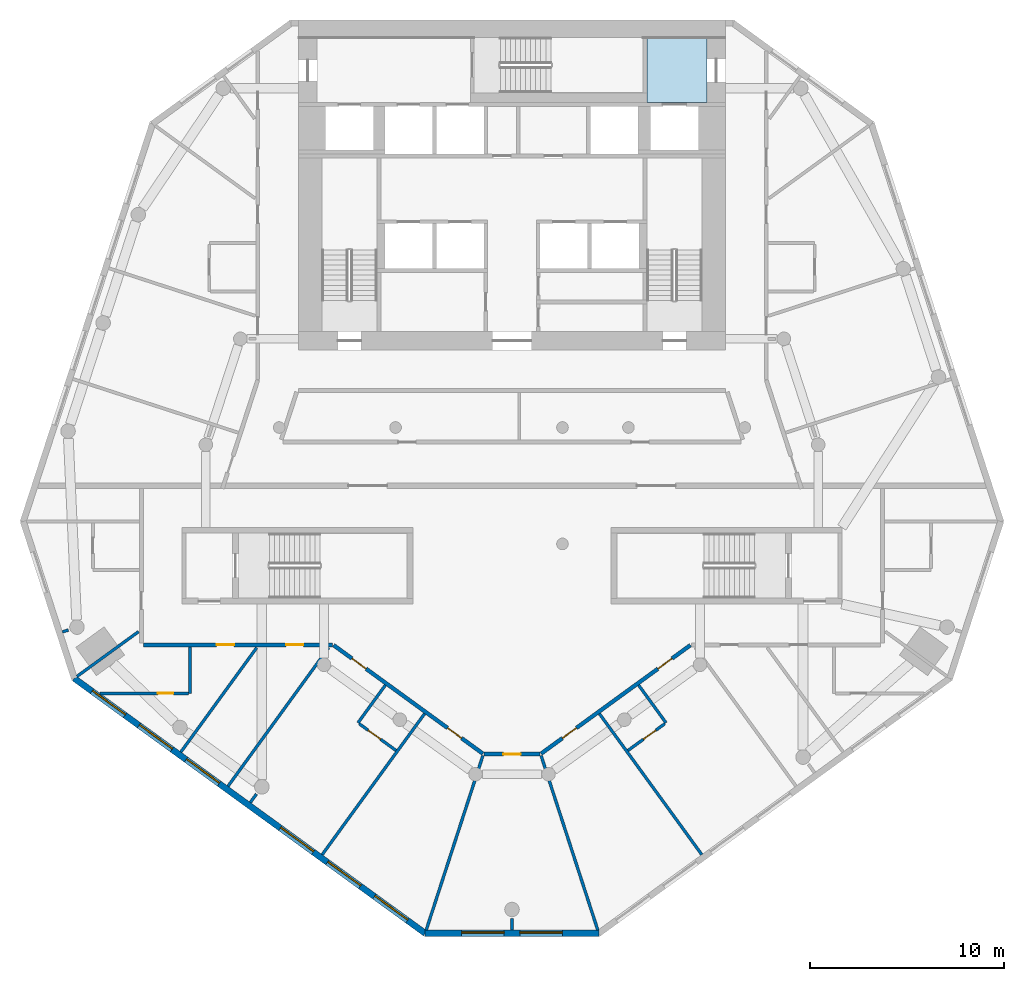
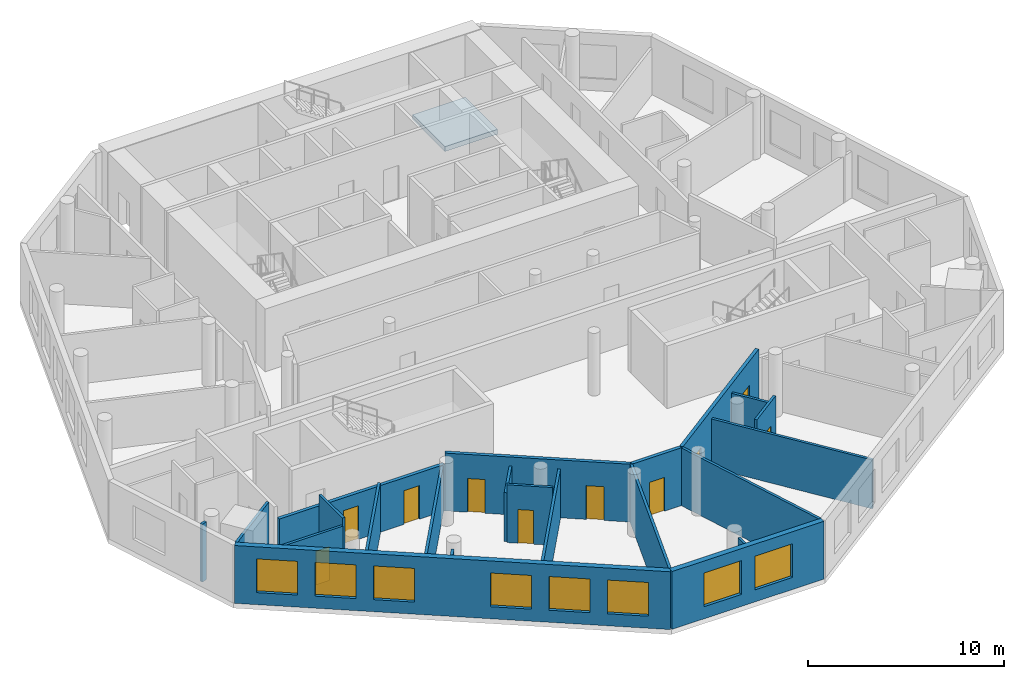
# One storey, part 2 of 9: 22 walls, 10 doors, 8 windows, 1 slab, 18 openings.
"""IFC4 building model written with IfcOpenShell, lengths in metres."""

from ifc_helpers import new_model, si_unit, direction, frame, frame_2d, origin, place, context, subcontext, project, spatial, polyline, rectangle, outline, extrude, material, layer, layer_set, type_object, element, fill, save


model = new_model("IFC4")

# Units and contexts
model_context = context("Model", 3, precision=1e-05, world=origin(), true_north=direction((0.0, 1.0)))
body_context = subcontext(model_context, "Body", "Model", "MODEL_VIEW")
ifc_project = project(units=[si_unit("LENGTHUNIT", "METRE"), si_unit("AREAUNIT", "SQUARE_METRE"), si_unit("VOLUMEUNIT", "CUBIC_METRE"), si_unit("PLANEANGLEUNIT", "RADIAN"), si_unit("MASSUNIT", "GRAM", prefix="KILO")], contexts=[model_context])

# Site, building, storey
site_placement = place(None, origin())
site = spatial("IfcSite", under=ifc_project, at=site_placement, CompositionType="ELEMENT")
building_placement = place(site_placement, origin())
building = spatial("IfcBuilding", under=site, at=building_placement, Name="White Candle Pilgrim Tower", CompositionType="ELEMENT")
storey_placement = place(building_placement, frame((0.0, 0.0, 164.199951171875)))
storey = spatial("IfcBuildingStorey", under=building, at=storey_placement, Name="L37", CompositionType="ELEMENT", Elevation=164.199951171875)

# Slab
ifc_material_1 = material(Name="Concrete C40/50", Category="concrete")
ifc_layer_1 = layer(ifc_material_1, 0.300048828125)
ifc_layer_set_1 = layer_set([ifc_layer_1], Name="Core floor slab 300 mm Concrete C40/50")
slab_type = type_object("IfcSlabType", Name="Core floor slab 300 mm Concrete C40/50", PredefinedType="FLOOR", material=ifc_layer_set_1)
slab_placement = place(storey_placement, frame((0.0, 0.0, -0.300048828125)))
element("IfcSlab", 1, at=slab_placement, inside=storey, type_object=slab_type, Name="CF-L37-06", PredefinedType="FLOOR", context=body_context, shape_type="SweptSolid", body=[
    extrude(outline(polyline([(80.050048828125, 87.050048828125), (80.050048828125, 83.75), (76.949951171875, 83.75), (76.949951171875, 84.25), (76.949951171875, 87.050048828125), (80.050048828125, 87.050048828125)])), origin(), (0.0, 0.0, 1.0), 0.300048828125),
])

# Wall, openings, doors
ifc_material_2 = material(Name="Gypsum board on steel studs", Category="steel")
ifc_layer_2 = layer(ifc_material_2, 0.199951171875)
ifc_layer_set_2 = layer_set([ifc_layer_2], Name="Corridor wall 200 mm EI 45")
wall_type_1 = type_object("IfcWallType", Name="Corridor wall 200 mm EI 45", PredefinedType="PARTITIONING", material=ifc_layer_set_2)
wall_1_placement = place(storey_placement, frame((79.192626953125, 55.781005859375, 0.0), z_axis=(0.0, 0.0, 1.0), x_axis=(-0.809014652106, -0.587788476135, 0.0)))
wall_1 = element("IfcWall", 2, at=wall_1_placement, inside=storey, type_object=wall_type_1, Name="WL-L37-P008", PredefinedType="PARTITIONING", context=body_context, shape_type="SweptSolid", body=[
    extrude(rectangle(XDim=9.509521484375, YDim=0.199951171875, at=frame_2d((4.7548828125, 0.0))), origin(), (0.0, 0.0, 1.0), 3.60009765625),
])
opening_1_placement = place(wall_1_placement, frame((7.2548828125, 0.0, 0.0)))
opening_1 = element("IfcOpeningElement", 3, at=opening_1_placement, cuts=wall_1, Name="Opening T11-111", PredefinedType="OPENING", context=body_context, shape_type="SweptSolid", body=[
    extrude(rectangle(XDim=0.89990234375, YDim=2.10009765625, at=frame_2d((0.449951171875, 1.050048828125))), frame((0.0, 0.10986328125, 0.0), z_axis=(0.0, -1.0, 0.0), x_axis=(1.0, 0.0, 0.0)), (0.0, 0.0, 1.0), 0.219970703125),
])
opening_2_placement = place(wall_1_placement, frame((1.16748046875, 0.0, 0.0)))
opening_2 = element("IfcOpeningElement", 4, at=opening_2_placement, cuts=wall_1, Name="Opening T11-113", PredefinedType="OPENING", context=body_context, shape_type="SweptSolid", body=[
    extrude(rectangle(XDim=0.89990234375, YDim=2.10009765625, at=frame_2d((0.449951171875, 1.050048828125))), frame((0.0, 0.10986328125, 0.0), z_axis=(0.0, -1.0, 0.0), x_axis=(1.0, 0.0, 0.0)), (0.0, 0.0, 1.0), 0.219970703125),
])
ifc_material_3 = material(Name="Steel door leaf", Category="steel")
door_type_1 = type_object("IfcDoorType", Name="Fire door 900 x 2100 EI 30", OperationType="NOTDEFINED", PredefinedType="DOOR", material=ifc_material_3)
door_1_placement = place(opening_1_placement, origin())
door_1 = element("IfcDoor", 5, at=door_1_placement, inside=storey, type_object=door_type_1, Name="Door T11-111", OperationType="SINGLE_SWING_LEFT", OverallHeight=2.10009765625, OverallWidth=0.89990234375, PredefinedType="DOOR", context=body_context, shape_type="SweptSolid", body=[
    extrude(rectangle(XDim=0.89990234375, YDim=2.10009765625, at=frame_2d((0.449951171875, 1.050048828125))), frame((0.0, 0.02490234375, 0.0), z_axis=(0.0, -1.0, 0.0), x_axis=(1.0, 0.0, 0.0)), (0.0, 0.0, 1.0), 0.050048828125),
])
fill(opening_1, door_1)
door_2_placement = place(opening_2_placement, origin())
door_2 = element("IfcDoor", 6, at=door_2_placement, inside=storey, type_object=door_type_1, Name="Door T11-113", OperationType="SINGLE_SWING_LEFT", OverallHeight=2.10009765625, OverallWidth=0.89990234375, PredefinedType="DOOR", context=body_context, shape_type="SweptSolid", body=[
    extrude(rectangle(XDim=0.89990234375, YDim=2.10009765625, at=frame_2d((0.449951171875, 1.050048828125))), frame((0.0, 0.02490234375, 0.0), z_axis=(0.0, -1.0, 0.0), x_axis=(1.0, 0.0, 0.0)), (0.0, 0.0, 1.0), 0.050048828125),
])
fill(opening_2, door_2)

# Wall, opening, door
wall_2_placement = place(storey_placement, frame((71.440673828125, 50.17236328125, 0.0), z_axis=(0.0, 0.0, 1.0), x_axis=(-1.0, 0.0, 0.0)))
wall_2 = element("IfcWall", 7, at=wall_2_placement, inside=storey, type_object=wall_type_1, Name="WL-L37-P009", PredefinedType="PARTITIONING", context=body_context, shape_type="SweptSolid", body=[
    extrude(rectangle(XDim=2.88134765625, YDim=0.199951171875, at=frame_2d((1.440673828125, 0.0))), origin(), (0.0, 0.0, 1.0), 3.60009765625),
])
opening_3_placement = place(wall_2_placement, frame((0.990478515625, 0.0, 0.0)))
opening_3 = element("IfcOpeningElement", 8, at=opening_3_placement, cuts=wall_2, Name="Opening T11-110", PredefinedType="OPENING", context=body_context, shape_type="SweptSolid", body=[
    extrude(rectangle(XDim=0.89990234375, YDim=2.10009765625, at=frame_2d((0.449951171875, 1.050048828125))), frame((0.0, 0.10986328125, 0.0), z_axis=(0.0, -1.0, 0.0), x_axis=(1.0, 0.0, 0.0)), (0.0, 0.0, 1.0), 0.219970703125),
])
door_3_placement = place(opening_3_placement, origin())
door_3 = element("IfcDoor", 9, at=door_3_placement, inside=storey, type_object=door_type_1, Name="Door T11-110", OperationType="SINGLE_SWING_RIGHT", OverallHeight=2.10009765625, OverallWidth=0.89990234375, PredefinedType="DOOR", context=body_context, shape_type="SweptSolid", body=[
    extrude(rectangle(XDim=0.89990234375, YDim=2.10009765625, at=frame_2d((0.449951171875, 1.050048828125))), frame((0.0, 0.02490234375, 0.0), z_axis=(0.0, -1.0, 0.0), x_axis=(1.0, 0.0, 0.0)), (0.0, 0.0, 1.0), 0.050048828125),
])
fill(opening_3, door_3)

# Wall, openings, doors
wall_3_placement = place(storey_placement, frame((68.500732421875, 50.19140625, 0.0), z_axis=(0.0, 0.0, 1.0), x_axis=(-0.809014652106, 0.587788476135, 0.0)))
wall_3 = element("IfcWall", 10, at=wall_3_placement, inside=storey, type_object=wall_type_1, Name="WL-L37-P010", PredefinedType="PARTITIONING", context=body_context, shape_type="SweptSolid", body=[
    extrude(rectangle(XDim=9.509521484375, YDim=0.199951171875, at=frame_2d((4.7548828125, 0.0))), origin(), (0.0, 0.0, 1.0), 3.60009765625),
])
opening_4_placement = place(wall_3_placement, frame((7.44189453125, 0.0, 0.0)))
opening_4 = element("IfcOpeningElement", 11, at=opening_4_placement, cuts=wall_3, Name="Opening T11-108", PredefinedType="OPENING", context=body_context, shape_type="SweptSolid", body=[
    extrude(rectangle(XDim=0.89990234375, YDim=2.10009765625, at=frame_2d((0.449951171875, 1.050048828125))), frame((0.0, 0.10986328125, 0.0), z_axis=(0.0, -1.0, 0.0), x_axis=(1.0, 0.0, 0.0)), (0.0, 0.0, 1.0), 0.219970703125),
])
opening_5_placement = place(wall_3_placement, frame((1.3544921875, 0.0, 0.0)))
opening_5 = element("IfcOpeningElement", 12, at=opening_5_placement, cuts=wall_3, Name="Opening T11-109", PredefinedType="OPENING", context=body_context, shape_type="SweptSolid", body=[
    extrude(rectangle(XDim=0.89990234375, YDim=2.10009765625, at=frame_2d((0.449951171875, 1.050048828125))), frame((0.0, 0.10986328125, 0.0), z_axis=(0.0, -1.0, 0.0), x_axis=(1.0, 0.0, 0.0)), (0.0, 0.0, 1.0), 0.219970703125),
])
door_4_placement = place(opening_4_placement, origin())
door_4 = element("IfcDoor", 13, at=door_4_placement, inside=storey, type_object=door_type_1, Name="Door T11-108", OperationType="SINGLE_SWING_RIGHT", OverallHeight=2.10009765625, OverallWidth=0.89990234375, PredefinedType="DOOR", context=body_context, shape_type="SweptSolid", body=[
    extrude(rectangle(XDim=0.89990234375, YDim=2.10009765625, at=frame_2d((0.449951171875, 1.050048828125))), frame((0.0, 0.02490234375, 0.0), z_axis=(0.0, -1.0, 0.0), x_axis=(1.0, 0.0, 0.0)), (0.0, 0.0, 1.0), 0.050048828125),
])
fill(opening_4, door_4)
door_5_placement = place(opening_5_placement, origin())
door_5 = element("IfcDoor", 14, at=door_5_placement, inside=storey, type_object=door_type_1, Name="Door T11-109", OperationType="SINGLE_SWING_LEFT", OverallHeight=2.10009765625, OverallWidth=0.89990234375, PredefinedType="DOOR", context=body_context, shape_type="SweptSolid", body=[
    extrude(rectangle(XDim=0.89990234375, YDim=2.10009765625, at=frame_2d((0.449951171875, 1.050048828125))), frame((0.0, 0.02490234375, 0.0), z_axis=(0.0, -1.0, 0.0), x_axis=(1.0, 0.0, 0.0)), (0.0, 0.0, 1.0), 0.050048828125),
])
fill(opening_5, door_5)

wall_4_placement = place(storey_placement, frame((60.74853515625, 55.800048828125, 0.0), z_axis=(0.0, 0.0, 1.0), x_axis=(-1.0, 0.0, 0.0)))
wall_4 = element("IfcWall", 15, at=wall_4_placement, inside=storey, type_object=wall_type_1, Name="WL-L37-P011", PredefinedType="PARTITIONING", context=body_context, shape_type="SweptSolid", body=[
    extrude(rectangle(XDim=9.74853515625, YDim=0.199951171875, at=frame_2d((4.874267578125, 0.0))), origin(), (0.0, 0.0, 1.0), 2.900146484375),
])
opening_6_placement = place(wall_4_placement, frame((5.07373046875, 0.0, 0.0)))
opening_6 = element("IfcOpeningElement", 16, at=opening_6_placement, cuts=wall_4, Name="Opening T11-105", PredefinedType="OPENING", context=body_context, shape_type="SweptSolid", body=[
    extrude(rectangle(XDim=0.89990234375, YDim=2.10009765625, at=frame_2d((0.449951171875, 1.050048828125))), frame((0.0, 0.10986328125, 0.0), z_axis=(0.0, -1.0, 0.0), x_axis=(1.0, 0.0, 0.0)), (0.0, 0.0, 1.0), 0.219970703125),
])
opening_7_placement = place(wall_4_placement, frame((1.4951171875, 0.0, 0.0)))
opening_7 = element("IfcOpeningElement", 17, at=opening_7_placement, cuts=wall_4, Name="Opening T11-106", PredefinedType="OPENING", context=body_context, shape_type="SweptSolid", body=[
    extrude(rectangle(XDim=0.89990234375, YDim=2.10009765625, at=frame_2d((0.449951171875, 1.050048828125))), frame((0.0, 0.10986328125, 0.0), z_axis=(0.0, -1.0, 0.0), x_axis=(1.0, 0.0, 0.0)), (0.0, 0.0, 1.0), 0.219970703125),
])
door_6_placement = place(opening_6_placement, origin())
door_6 = element("IfcDoor", 18, at=door_6_placement, inside=storey, type_object=door_type_1, Name="Door T11-105", OperationType="SINGLE_SWING_LEFT", OverallHeight=2.10009765625, OverallWidth=0.89990234375, PredefinedType="DOOR", context=body_context, shape_type="SweptSolid", body=[
    extrude(rectangle(XDim=0.89990234375, YDim=2.10009765625, at=frame_2d((0.449951171875, 1.050048828125))), frame((0.0, 0.02490234375, 0.0), z_axis=(0.0, -1.0, 0.0), x_axis=(1.0, 0.0, 0.0)), (0.0, 0.0, 1.0), 0.050048828125),
])
fill(opening_6, door_6)
door_7_placement = place(opening_7_placement, origin())
door_7 = element("IfcDoor", 19, at=door_7_placement, inside=storey, type_object=door_type_1, Name="Door T11-106", OperationType="SINGLE_SWING_RIGHT", OverallHeight=2.10009765625, OverallWidth=0.89990234375, PredefinedType="DOOR", context=body_context, shape_type="SweptSolid", body=[
    extrude(rectangle(XDim=0.89990234375, YDim=2.10009765625, at=frame_2d((0.449951171875, 1.050048828125))), frame((0.0, 0.02490234375, 0.0), z_axis=(0.0, -1.0, 0.0), x_axis=(1.0, 0.0, 0.0)), (0.0, 0.0, 1.0), 0.050048828125),
])
fill(opening_7, door_7)

# Wall, openings, windows
ifc_material_4 = material(Name="Precast concrete C40/50", Category="concrete")
ifc_layer_3 = layer(ifc_material_4, 0.320068359375)
ifc_layer_set_3 = layer_set([ifc_layer_3], Name="Facade wall EW1 precast concrete C40/50 pier wall with timber-lined reveals")
wall_type_2 = type_object("IfcWallType", Name="Facade wall EW1 precast concrete C40/50 pier wall with timber-lined reveals", PredefinedType="SOLIDWALL", material=ifc_layer_set_3)
wall_5_placement = place(storey_placement, frame((47.440673828125, 54.071044921875, 0.0), z_axis=(0.0, 0.0, 1.0), x_axis=(0.809019373805, -0.587781977274, 0.0)))
wall_5 = element("IfcWall", 20, at=wall_5_placement, inside=storey, type_object=wall_type_2, Name="Facade wall L37 SW", PredefinedType="SOLIDWALL", context=body_context, shape_type="SweptSolid", body=[
    extrude(rectangle(XDim=22.35302734375, YDim=0.320068359375, at=frame_2d((11.176513671875, 0.0))), origin(), (0.0, 0.0, 1.0), 3.60009765625),
])
opening_8_placement = place(wall_5_placement, frame((1.12646484375, 0.0, 0.75)))
opening_8 = element("IfcOpeningElement", 21, at=opening_8_placement, cuts=wall_5, Name="Opening W3", PredefinedType="OPENING", context=body_context, shape_type="SweptSolid", body=[
    extrude(rectangle(XDim=2.10009765625, YDim=2.10009765625, at=frame_2d((1.050048828125, 1.050048828125))), frame((0.0, 0.169921875, 0.0), z_axis=(0.0, -1.0, 0.0), x_axis=(1.0, 0.0, 0.0)), (0.0, 0.0, 1.0), 0.340087890625),
])
opening_9_placement = place(wall_5_placement, frame((4.12646484375, 0.0, 0.75)))
opening_9 = element("IfcOpeningElement", 22, at=opening_9_placement, cuts=wall_5, Name="Opening W3", PredefinedType="OPENING", context=body_context, shape_type="SweptSolid", body=[
    extrude(rectangle(XDim=2.10009765625, YDim=2.10009765625, at=frame_2d((1.050048828125, 1.050048828125))), frame((0.0, 0.169921875, 0.0), z_axis=(0.0, -1.0, 0.0), x_axis=(1.0, 0.0, 0.0)), (0.0, 0.0, 1.0), 0.340087890625),
])
opening_10_placement = place(wall_5_placement, frame((7.12646484375, 0.0, 0.75)))
opening_10 = element("IfcOpeningElement", 23, at=opening_10_placement, cuts=wall_5, Name="Opening W3", PredefinedType="OPENING", context=body_context, shape_type="SweptSolid", body=[
    extrude(rectangle(XDim=2.10009765625, YDim=2.10009765625, at=frame_2d((1.050048828125, 1.050048828125))), frame((0.0, 0.169921875, 0.0), z_axis=(0.0, -1.0, 0.0), x_axis=(1.0, 0.0, 0.0)), (0.0, 0.0, 1.0), 0.340087890625),
])
opening_11_placement = place(wall_5_placement, frame((13.12646484375, 0.0, 0.75)))
opening_11 = element("IfcOpeningElement", 24, at=opening_11_placement, cuts=wall_5, Name="Opening W3", PredefinedType="OPENING", context=body_context, shape_type="SweptSolid", body=[
    extrude(rectangle(XDim=2.10009765625, YDim=2.10009765625, at=frame_2d((1.050048828125, 1.050048828125))), frame((0.0, 0.169921875, 0.0), z_axis=(0.0, -1.0, 0.0), x_axis=(1.0, 0.0, 0.0)), (0.0, 0.0, 1.0), 0.340087890625),
])
opening_12_placement = place(wall_5_placement, frame((16.12646484375, 0.0, 0.75)))
opening_12 = element("IfcOpeningElement", 25, at=opening_12_placement, cuts=wall_5, Name="Opening W3", PredefinedType="OPENING", context=body_context, shape_type="SweptSolid", body=[
    extrude(rectangle(XDim=2.10009765625, YDim=2.10009765625, at=frame_2d((1.050048828125, 1.050048828125))), frame((0.0, 0.169921875, 0.0), z_axis=(0.0, -1.0, 0.0), x_axis=(1.0, 0.0, 0.0)), (0.0, 0.0, 1.0), 0.340087890625),
])
opening_13_placement = place(wall_5_placement, frame((19.12646484375, 0.0, 0.75)))
opening_13 = element("IfcOpeningElement", 26, at=opening_13_placement, cuts=wall_5, Name="Opening W3", PredefinedType="OPENING", context=body_context, shape_type="SweptSolid", body=[
    extrude(rectangle(XDim=2.10009765625, YDim=2.10009765625, at=frame_2d((1.050048828125, 1.050048828125))), frame((0.0, 0.169921875, 0.0), z_axis=(0.0, -1.0, 0.0), x_axis=(1.0, 0.0, 0.0)), (0.0, 0.0, 1.0), 0.340087890625),
])
ifc_material_5 = material(Name="Timber frame with triple glazing", Category="wood")
window_type_1 = type_object("IfcWindowType", Name="Window W3 2100x2100 timber frame triple glazing", PartitioningType="SINGLE_PANEL", PredefinedType="WINDOW", material=ifc_material_5)
window_1_placement = place(opening_8_placement, origin())
window_1 = element("IfcWindow", 27, at=window_1_placement, inside=storey, type_object=window_type_1, Name="Window W3 L37 SW 1", OverallHeight=2.10009765625, OverallWidth=2.10009765625, PartitioningType="SINGLE_PANEL", PredefinedType="WINDOW", context=body_context, shape_type="SweptSolid", body=[
    extrude(rectangle(XDim=2.10009765625, YDim=2.10009765625, at=frame_2d((1.050048828125, 1.050048828125))), frame((0.0, 0.070068359375, 0.0), z_axis=(0.0, -1.0, 0.0), x_axis=(1.0, 0.0, 0.0)), (0.0, 0.0, 1.0), 0.06005859375),
])
fill(opening_8, window_1)
window_2_placement = place(opening_9_placement, origin())
window_2 = element("IfcWindow", 28, at=window_2_placement, inside=storey, type_object=window_type_1, Name="Window W3 L37 SW 2", OverallHeight=2.10009765625, OverallWidth=2.10009765625, PartitioningType="SINGLE_PANEL", PredefinedType="WINDOW", context=body_context, shape_type="SweptSolid", body=[
    extrude(rectangle(XDim=2.10009765625, YDim=2.10009765625, at=frame_2d((1.050048828125, 1.050048828125))), frame((0.0, 0.070068359375, 0.0), z_axis=(0.0, -1.0, 0.0), x_axis=(1.0, 0.0, 0.0)), (0.0, 0.0, 1.0), 0.06005859375),
])
fill(opening_9, window_2)
window_3_placement = place(opening_10_placement, origin())
window_3 = element("IfcWindow", 29, at=window_3_placement, inside=storey, type_object=window_type_1, Name="Window W3 L37 SW 3", OverallHeight=2.10009765625, OverallWidth=2.10009765625, PartitioningType="SINGLE_PANEL", PredefinedType="WINDOW", context=body_context, shape_type="SweptSolid", body=[
    extrude(rectangle(XDim=2.10009765625, YDim=2.10009765625, at=frame_2d((1.050048828125, 1.050048828125))), frame((0.0, 0.070068359375, 0.0), z_axis=(0.0, -1.0, 0.0), x_axis=(1.0, 0.0, 0.0)), (0.0, 0.0, 1.0), 0.06005859375),
])
fill(opening_10, window_3)
window_4_placement = place(opening_11_placement, origin())
window_4 = element("IfcWindow", 30, at=window_4_placement, inside=storey, type_object=window_type_1, Name="Window W3 L37 SW 5", OverallHeight=2.10009765625, OverallWidth=2.10009765625, PartitioningType="SINGLE_PANEL", PredefinedType="WINDOW", context=body_context, shape_type="SweptSolid", body=[
    extrude(rectangle(XDim=2.10009765625, YDim=2.10009765625, at=frame_2d((1.050048828125, 1.050048828125))), frame((0.0, 0.070068359375, 0.0), z_axis=(0.0, -1.0, 0.0), x_axis=(1.0, 0.0, 0.0)), (0.0, 0.0, 1.0), 0.06005859375),
])
fill(opening_11, window_4)
window_5_placement = place(opening_12_placement, origin())
window_5 = element("IfcWindow", 31, at=window_5_placement, inside=storey, type_object=window_type_1, Name="Window W3 L37 SW 6", OverallHeight=2.10009765625, OverallWidth=2.10009765625, PartitioningType="SINGLE_PANEL", PredefinedType="WINDOW", context=body_context, shape_type="SweptSolid", body=[
    extrude(rectangle(XDim=2.10009765625, YDim=2.10009765625, at=frame_2d((1.050048828125, 1.050048828125))), frame((0.0, 0.070068359375, 0.0), z_axis=(0.0, -1.0, 0.0), x_axis=(1.0, 0.0, 0.0)), (0.0, 0.0, 1.0), 0.06005859375),
])
fill(opening_12, window_5)
window_6_placement = place(opening_13_placement, origin())
window_6 = element("IfcWindow", 32, at=window_6_placement, inside=storey, type_object=window_type_1, Name="Window W3 L37 SW 7", OverallHeight=2.10009765625, OverallWidth=2.10009765625, PartitioningType="SINGLE_PANEL", PredefinedType="WINDOW", context=body_context, shape_type="SweptSolid", body=[
    extrude(rectangle(XDim=2.10009765625, YDim=2.10009765625, at=frame_2d((1.050048828125, 1.050048828125))), frame((0.0, 0.070068359375, 0.0), z_axis=(0.0, -1.0, 0.0), x_axis=(1.0, 0.0, 0.0)), (0.0, 0.0, 1.0), 0.06005859375),
])
fill(opening_13, window_6)

wall_6_placement = place(storey_placement, frame((65.524658203125, 40.932373046875, 0.0), z_axis=(0.0, 0.0, 1.0), x_axis=(1.0, 0.0, 0.0)))
wall_6 = element("IfcWall", 33, at=wall_6_placement, inside=storey, type_object=wall_type_2, Name="Facade wall L37 S chamfer", PredefinedType="SOLIDWALL", context=body_context, shape_type="SweptSolid", body=[
    extrude(rectangle(XDim=8.95068359375, YDim=0.320068359375, at=frame_2d((4.475341796875, 0.0))), origin(), (0.0, 0.0, 1.0), 3.60009765625),
])
opening_14_placement = place(wall_6_placement, frame((1.875244140625, 0.0, 0.75)))
opening_14 = element("IfcOpeningElement", 34, at=opening_14_placement, cuts=wall_6, Name="Opening W4", PredefinedType="OPENING", context=body_context, shape_type="SweptSolid", body=[
    extrude(rectangle(XDim=2.199951171875, YDim=2.10009765625, at=frame_2d((1.10009765625, 1.050048828125))), frame((0.0, 0.169921875, 0.0), z_axis=(0.0, -1.0, 0.0), x_axis=(1.0, 0.0, 0.0)), (0.0, 0.0, 1.0), 0.340087890625),
])
opening_15_placement = place(wall_6_placement, frame((4.875244140625, 0.0, 0.75)))
opening_15 = element("IfcOpeningElement", 35, at=opening_15_placement, cuts=wall_6, Name="Opening W4", PredefinedType="OPENING", context=body_context, shape_type="SweptSolid", body=[
    extrude(rectangle(XDim=2.199951171875, YDim=2.10009765625, at=frame_2d((1.10009765625, 1.050048828125))), frame((0.0, 0.169921875, 0.0), z_axis=(0.0, -1.0, 0.0), x_axis=(1.0, 0.0, 0.0)), (0.0, 0.0, 1.0), 0.340087890625),
])
window_type_2 = type_object("IfcWindowType", Name="Window W4 2200x2100 timber frame triple glazing", PartitioningType="SINGLE_PANEL", PredefinedType="WINDOW", material=ifc_material_5)
window_7_placement = place(opening_14_placement, origin())
window_7 = element("IfcWindow", 36, at=window_7_placement, inside=storey, type_object=window_type_2, Name="Window W4 L37 S chamfer 1", OverallHeight=2.10009765625, OverallWidth=2.199951171875, PartitioningType="SINGLE_PANEL", PredefinedType="WINDOW", context=body_context, shape_type="SweptSolid", body=[
    extrude(rectangle(XDim=2.199951171875, YDim=2.10009765625, at=frame_2d((1.10009765625, 1.050048828125))), frame((0.0, 0.070068359375, 0.0), z_axis=(0.0, -1.0, 0.0), x_axis=(1.0, 0.0, 0.0)), (0.0, 0.0, 1.0), 0.06005859375),
])
fill(opening_14, window_7)
window_8_placement = place(opening_15_placement, origin())
window_8 = element("IfcWindow", 37, at=window_8_placement, inside=storey, type_object=window_type_2, Name="Window W4 L37 S chamfer 2", OverallHeight=2.10009765625, OverallWidth=2.199951171875, PartitioningType="SINGLE_PANEL", PredefinedType="WINDOW", context=body_context, shape_type="SweptSolid", body=[
    extrude(rectangle(XDim=2.199951171875, YDim=2.10009765625, at=frame_2d((1.10009765625, 1.050048828125))), frame((0.0, 0.070068359375, 0.0), z_axis=(0.0, -1.0, 0.0), x_axis=(1.0, 0.0, 0.0)), (0.0, 0.0, 1.0), 0.06005859375),
])
fill(opening_15, window_8)

# Walls
ifc_layer_4 = layer(ifc_material_2, 0.14990234375)
ifc_layer_set_4 = layer_set([ifc_layer_4], Name="Partition 150 mm EI 60")
wall_type_3 = type_object("IfcWallType", Name="Partition 150 mm EI 60", PredefinedType="PARTITIONING", material=ifc_layer_set_4)
wall_7_placement = place(storey_placement, frame((47.576904296875, 54.169921875, 0.0), z_axis=(0.0, 0.0, 1.0), x_axis=(0.809026161047, 0.587772635244, 0.0)))
element("IfcWall", 38, at=wall_7_placement, inside=storey, type_object=wall_type_3, Name="WL-L37-P019", PredefinedType="PARTITIONING", context=body_context, shape_type="SweptSolid", body=[
    extrude(rectangle(XDim=3.929443359375, YDim=0.14990234375, at=frame_2d((1.96484375, 0.0))), origin(), (0.0, 0.0, 1.0), 3.60009765625),
])
for number, where, z_axis, x_axis, name in (
    (39, (65.57666015625, 41.09228515625, 0.0), (0.0, 0.0, 1.0), (0.309027729723, 0.951053028102, 0.0), "WL-L37-P020"),
    (40, (74.42333984375, 41.09228515625, 0.0), (0.0, 0.0, 1.0), (-0.309027729723, 0.951053028102, 0.0), "WL-L37-P021"),
):
    element("IfcWall", number, at=place(storey_placement, frame(where, z_axis=z_axis, x_axis=x_axis)), inside=storey, type_object=wall_type_3, Name=name, PredefinedType="PARTITIONING", context=body_context, shape_type="SweptSolid", body=[
        extrude(rectangle(XDim=9.462158203125, YDim=0.14990234375, at=frame_2d((4.73095703125, 0.0))), origin(), (0.0, 0.0, 1.0), 3.60009765625),
    ])
wall_8_placement = place(storey_placement, frame((52.936279296875, 50.276123046875, 0.0), z_axis=(0.0, 0.0, 1.0), x_axis=(0.587783062089, 0.809018585646, 0.0)))
element("IfcWall", 41, at=wall_8_placement, inside=storey, type_object=wall_type_3, Name="WL-L37-P033", PredefinedType="PARTITIONING", context=body_context, shape_type="SweptSolid", body=[
    extrude(rectangle(XDim=6.64990234375, YDim=0.14990234375, at=frame_2d((3.324951171875, 0.0))), origin(), (0.0, 0.0, 1.0), 3.150146484375),
])
wall_9_placement = place(storey_placement, frame((55.36328125, 48.5126953125, 0.0), z_axis=(0.0, 0.0, 1.0), x_axis=(0.587768822725, 0.809028930899, 0.0)))
element("IfcWall", 42, at=wall_9_placement, inside=storey, type_object=wall_type_3, Name="WL-L37-P034", PredefinedType="PARTITIONING", context=body_context, shape_type="SweptSolid", body=[
    extrude(rectangle(XDim=8.82958984375, YDim=0.14990234375, at=frame_2d((4.414794921875, 0.0))), origin(), (0.0, 0.0, 1.0), 2.900146484375),
])
wall_10_placement = place(storey_placement, frame((60.21728515625, 44.986083984375, 0.0), z_axis=(0.0, 0.0, 1.0), x_axis=(0.587790127827, 0.809013452069, 0.0)))
element("IfcWall", 43, at=wall_10_placement, inside=storey, type_object=wall_type_3, Name="WL-L37-P035", PredefinedType="PARTITIONING", context=body_context, shape_type="SweptSolid", body=[
    extrude(rectangle(XDim=8.97998046875, YDim=0.14990234375, at=frame_2d((4.489990234375, 0.0))), origin(), (0.0, 0.0, 1.0), 3.050048828125),
])
wall_11_placement = place(storey_placement, frame((53.39990234375, 55.699951171875, 0.0), z_axis=(0.0, 0.0, 1.0), x_axis=(0.0, -1.0, 0.0)))
element("IfcWall", 44, at=wall_11_placement, inside=storey, type_object=wall_type_3, Name="WL-L37-P036", PredefinedType="PARTITIONING", context=body_context, shape_type="SweptSolid", body=[
    extrude(rectangle(XDim=2.39990234375, YDim=0.14990234375, at=frame_2d((1.199951171875, 0.0))), origin(), (0.0, 0.0, 1.0), 3.60009765625),
])

# Wall, opening, door
wall_12_placement = place(storey_placement, frame((48.774169921875, 53.300048828125, 0.0), z_axis=(0.0, 0.0, 1.0), x_axis=(1.0, 0.0, 0.0)))
wall_12 = element("IfcWall", 45, at=wall_12_placement, inside=storey, type_object=wall_type_3, Name="WL-L37-P037", PredefinedType="PARTITIONING", context=body_context, shape_type="SweptSolid", body=[
    extrude(rectangle(XDim=4.55078125, YDim=0.14990234375, at=frame_2d((2.275390625, 0.0))), origin(), (0.0, 0.0, 1.0), 3.150146484375),
])
opening_16_placement = place(wall_12_placement, frame((2.975830078125, 0.0, 0.0)))
opening_16 = element("IfcOpeningElement", 46, at=opening_16_placement, cuts=wall_12, Name="Opening T11-104", PredefinedType="OPENING", context=body_context, shape_type="SweptSolid", body=[
    extrude(rectangle(XDim=0.800048828125, YDim=2.10009765625, at=frame_2d((0.39990234375, 1.050048828125))), frame((0.0, 0.0849609375, 0.0), z_axis=(0.0, -1.0, 0.0), x_axis=(1.0, 0.0, 0.0)), (0.0, 0.0, 1.0), 0.169921875),
])
door_type_2 = type_object("IfcDoorType", Name="Fire door 800 x 2100 EI 30", OperationType="NOTDEFINED", PredefinedType="DOOR", material=ifc_material_3)
door_8_placement = place(opening_16_placement, frame((0.800048828125, 0.0, 0.0), z_axis=(0.0, 0.0, 1.0), x_axis=(-1.0, 0.0, 0.0)))
door_8 = element("IfcDoor", 47, at=door_8_placement, inside=storey, type_object=door_type_2, Name="Door T11-104", OperationType="SINGLE_SWING_LEFT", OverallHeight=2.10009765625, OverallWidth=0.800048828125, PredefinedType="DOOR", context=body_context, shape_type="SweptSolid", body=[
    extrude(rectangle(XDim=0.800048828125, YDim=2.10009765625, at=frame_2d((0.39990234375, 1.050048828125))), frame((0.0, 0.02490234375, 0.0), z_axis=(0.0, -1.0, 0.0), x_axis=(1.0, 0.0, 0.0)), (0.0, 0.0, 1.0), 0.050048828125),
])
fill(opening_16, door_8)

# Wall
wall_13_placement = place(storey_placement, frame((63.47314453125, 53.720458984375, 0.0), z_axis=(0.0, 0.0, 1.0), x_axis=(-0.587772420479, -0.809026317077, 0.0)))
element("IfcWall", 48, at=wall_13_placement, inside=storey, type_object=wall_type_3, Name="WL-L37-P038", PredefinedType="PARTITIONING", context=body_context, shape_type="SweptSolid", body=[
    extrude(rectangle(XDim=2.39990234375, YDim=0.14990234375, at=frame_2d((1.199951171875, 0.0))), origin(), (0.0, 0.0, 1.0), 3.050048828125),
])

# Wall, opening, door
wall_14_placement = place(storey_placement, frame((64.0244140625, 50.353515625, 0.0), z_axis=(0.0, 0.0, 1.0), x_axis=(-0.809032466197, 0.587763956567, 0.0)))
wall_14 = element("IfcWall", 49, at=wall_14_placement, inside=storey, type_object=wall_type_3, Name="WL-L37-P039", PredefinedType="PARTITIONING", context=body_context, shape_type="SweptSolid", body=[
    extrude(rectangle(XDim=2.35009765625, YDim=0.14990234375, at=frame_2d((1.175048828125, 0.0))), origin(), (0.0, 0.0, 1.0), 3.60009765625),
])
opening_17_placement = place(wall_14_placement, frame((0.97509765625, 0.0, 0.0)))
opening_17 = element("IfcOpeningElement", 50, at=opening_17_placement, cuts=wall_14, Name="Opening T11-107", PredefinedType="OPENING", context=body_context, shape_type="SweptSolid", body=[
    extrude(rectangle(XDim=0.800048828125, YDim=2.10009765625, at=frame_2d((0.39990234375, 1.050048828125))), frame((0.0, 0.0849609375, 0.0), z_axis=(0.0, -1.0, 0.0), x_axis=(1.0, 0.0, 0.0)), (0.0, 0.0, 1.0), 0.169921875),
])
door_9_placement = place(opening_17_placement, origin())
door_9 = element("IfcDoor", 51, at=door_9_placement, inside=storey, type_object=door_type_2, Name="Door T11-107", OperationType="SINGLE_SWING_LEFT", OverallHeight=2.10009765625, OverallWidth=0.800048828125, PredefinedType="DOOR", context=body_context, shape_type="SweptSolid", body=[
    extrude(rectangle(XDim=0.800048828125, YDim=2.10009765625, at=frame_2d((0.39990234375, 1.050048828125))), frame((0.0, 0.02490234375, 0.0), z_axis=(0.0, -1.0, 0.0), x_axis=(1.0, 0.0, 0.0)), (0.0, 0.0, 1.0), 0.050048828125),
])
fill(opening_17, door_9)

# Walls
wall_15_placement = place(storey_placement, frame((79.78271484375, 44.986083984375, 0.0), z_axis=(0.0, 0.0, 1.0), x_axis=(-0.587790127827, 0.809013452069, 0.0)))
element("IfcWall", 52, at=wall_15_placement, inside=storey, type_object=wall_type_3, Name="WL-L37-P040", PredefinedType="PARTITIONING", context=body_context, shape_type="SweptSolid", body=[
    extrude(rectangle(XDim=8.97998046875, YDim=0.14990234375, at=frame_2d((4.489990234375, 0.0))), origin(), (0.0, 0.0, 1.0), 3.050048828125),
])
wall_16_placement = place(storey_placement, frame((76.52685546875, 53.720458984375, 0.0), z_axis=(0.0, 0.0, 1.0), x_axis=(0.587772420479, -0.809026317077, 0.0)))
element("IfcWall", 53, at=wall_16_placement, inside=storey, type_object=wall_type_3, Name="WL-L37-P043", PredefinedType="PARTITIONING", context=body_context, shape_type="SweptSolid", body=[
    extrude(rectangle(XDim=2.39990234375, YDim=0.14990234375, at=frame_2d((1.199951171875, 0.0))), origin(), (0.0, 0.0, 1.0), 3.050048828125),
])

# Wall, opening, door
wall_17_placement = place(storey_placement, frame((75.9755859375, 50.353515625, 0.0), z_axis=(0.0, 0.0, 1.0), x_axis=(0.809032466197, 0.587763956567, 0.0)))
wall_17 = element("IfcWall", 54, at=wall_17_placement, inside=storey, type_object=wall_type_3, Name="WL-L37-P044", PredefinedType="PARTITIONING", context=body_context, shape_type="SweptSolid", body=[
    extrude(rectangle(XDim=2.35009765625, YDim=0.14990234375, at=frame_2d((1.175048828125, 0.0))), origin(), (0.0, 0.0, 1.0), 3.60009765625),
])
opening_18_placement = place(wall_17_placement, frame((0.97509765625, 0.0, 0.0)))
opening_18 = element("IfcOpeningElement", 55, at=opening_18_placement, cuts=wall_17, Name="Opening T11-112", PredefinedType="OPENING", context=body_context, shape_type="SweptSolid", body=[
    extrude(rectangle(XDim=0.800048828125, YDim=2.10009765625, at=frame_2d((0.39990234375, 1.050048828125))), frame((0.0, 0.0849609375, 0.0), z_axis=(0.0, -1.0, 0.0), x_axis=(1.0, 0.0, 0.0)), (0.0, 0.0, 1.0), 0.169921875),
])
door_10_placement = place(opening_18_placement, frame((0.800048828125, 0.0, 0.0), z_axis=(0.0, 0.0, 1.0), x_axis=(-1.0, 0.0, 0.0)))
door_10 = element("IfcDoor", 56, at=door_10_placement, inside=storey, type_object=door_type_2, Name="Door T11-112", OperationType="SINGLE_SWING_LEFT", OverallHeight=2.10009765625, OverallWidth=0.800048828125, PredefinedType="DOOR", context=body_context, shape_type="SweptSolid", body=[
    extrude(rectangle(XDim=0.800048828125, YDim=2.10009765625, at=frame_2d((0.39990234375, 1.050048828125))), frame((0.0, 0.02490234375, 0.0), z_axis=(0.0, -1.0, 0.0), x_axis=(1.0, 0.0, 0.0)), (0.0, 0.0, 1.0), 0.050048828125),
])
fill(opening_18, door_10)

# Walls
wall_18_placement = place(storey_placement, frame((47.138916015625, 56.56298828125, 0.0), z_axis=(0.0, 0.0, 1.0), x_axis=(-0.95100073077, -0.309188631864, 0.0)))
element("IfcWall", 57, at=wall_18_placement, inside=storey, type_object=wall_type_3, Name="WL-L37-P056", PredefinedType="PARTITIONING", context=body_context, shape_type="SweptSolid", body=[
    extrude(rectangle(XDim=0.322998046875, YDim=0.14990234375, at=frame_2d((0.16162109375, 0.0))), origin(), (0.0, 0.0, 1.0), 3.60009765625),
])
wall_19_placement = place(storey_placement, frame((56.8291015625, 48.109375, 0.0), z_axis=(0.0, 0.0, 1.0), x_axis=(-0.587819145055, -0.808992368757, 0.0)))
element("IfcWall", 58, at=wall_19_placement, inside=storey, type_object=wall_type_3, Name="WL-L37-P057", PredefinedType="PARTITIONING", context=body_context, shape_type="SweptSolid", body=[
    extrude(rectangle(XDim=0.535400390625, YDim=0.14990234375, at=frame_2d((0.267578125, 0.0))), origin(), (0.0, 0.0, 1.0), 3.60009765625),
])
wall_20_placement = place(storey_placement, frame((70.002197265625, 41.695068359375, 0.0), z_axis=(0.0, 0.0, 1.0), x_axis=(0.0, -1.0, 0.0)))
element("IfcWall", 59, at=wall_20_placement, inside=storey, type_object=wall_type_3, Name="WL-L37-P058", PredefinedType="PARTITIONING", context=body_context, shape_type="SweptSolid", body=[
    extrude(rectangle(XDim=0.602783203125, YDim=0.14990234375, at=frame_2d((0.30126953125, 0.0))), origin(), (0.0, 0.0, 1.0), 3.60009765625),
])

save(model, "model.ifc")
